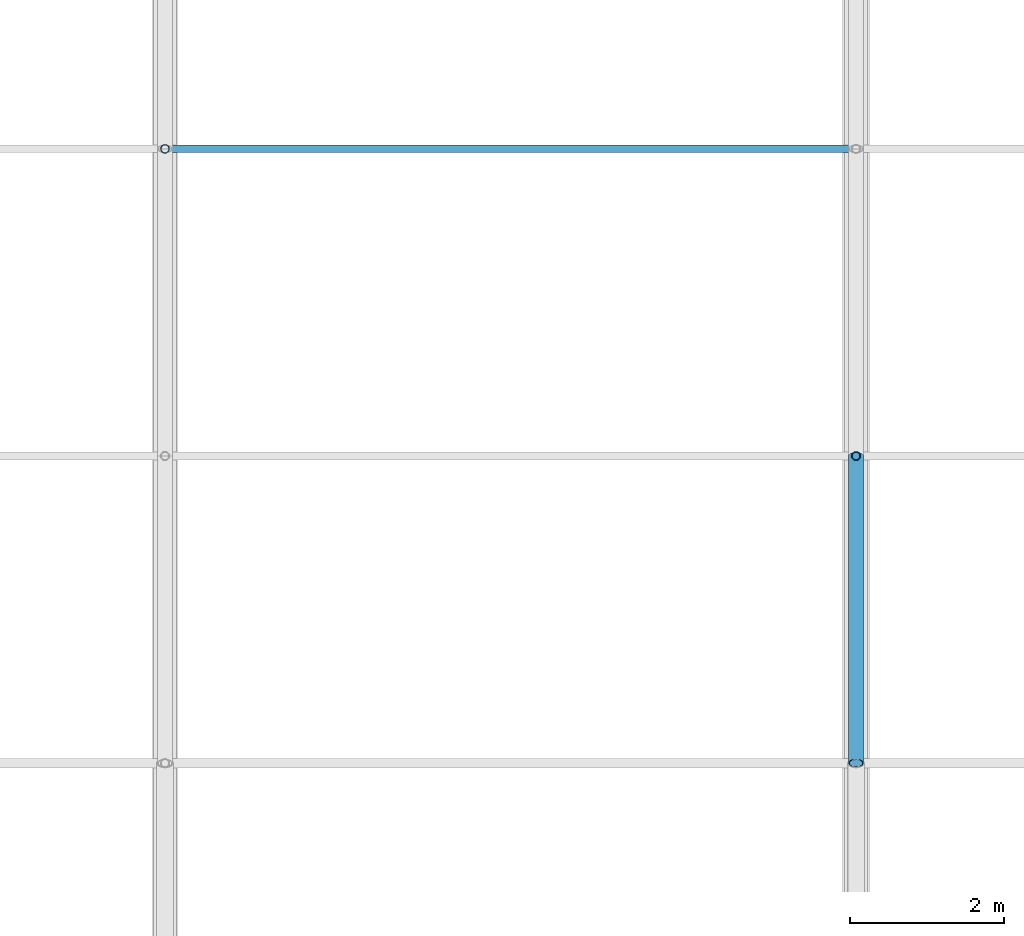
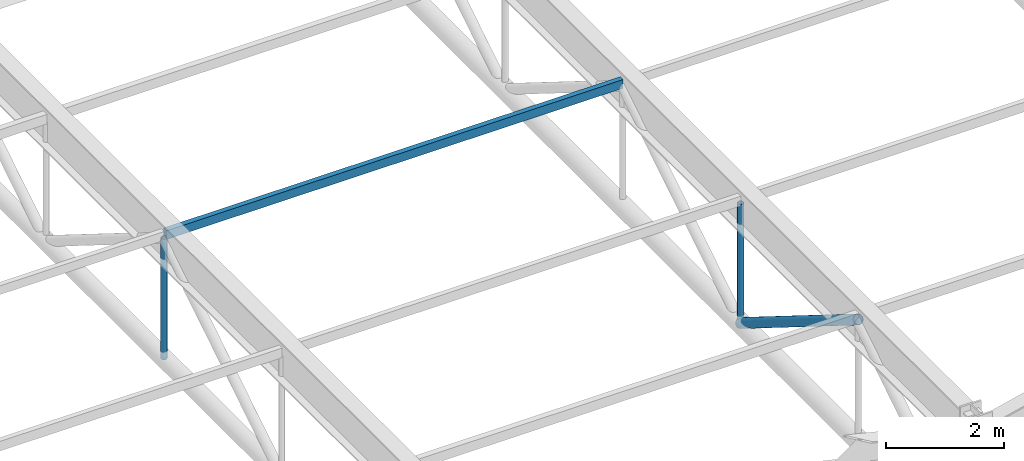
# One storey, part 32 of 91: 4 members.
"""IFC4 building model written with IfcOpenShell, lengths in metres."""

from ifc_helpers import new_model, si_unit, direction, frame, origin, origin_2d, place, context, subcontext, project, spatial, hollow_rectangle, hollow_circle, extrude, material, material_profile, profile_set, type_object, element, save


model = new_model("IFC4")

# Units and contexts
model_context = context("Model", 3, precision=1e-05, world=origin(), true_north=direction((0.0, 1.0)))
body_context = subcontext(model_context, "Body", "Model", "MODEL_VIEW")
ifc_project = project(units=[si_unit("LENGTHUNIT", "METRE"), si_unit("AREAUNIT", "SQUARE_METRE"), si_unit("VOLUMEUNIT", "CUBIC_METRE"), si_unit("PLANEANGLEUNIT", "RADIAN"), si_unit("MASSUNIT", "GRAM", prefix="KILO")], contexts=[model_context])

# Site, building, storey
site_placement = place(None, origin())
site = spatial("IfcSite", under=ifc_project, at=site_placement, CompositionType="ELEMENT")
building_placement = place(site_placement, origin())
building = spatial("IfcBuilding", under=site, at=building_placement, Name="Palais des Congres Ocreval", CompositionType="ELEMENT")
storey_placement = place(building_placement, frame((0.0, 0.0, 8.159912109375)))
storey = spatial("IfcBuildingStorey", under=building, at=storey_placement, Name="L02", CompositionType="ELEMENT", Elevation=8.159912109375)

# Members
ifc_material = material(Name="Steel S355", Category="steel")
ifc_material_profile_1 = material_profile(ifc_material, hollow_circle(Radius=0.096923828125, WallThickness=0.010009765625, at=origin_2d()), Name="CHS 193.7x10")
ifc_profile_set_1 = profile_set([ifc_material_profile_1], Name="Steel S355")
member_type_1 = type_object("IfcMemberType", Name="Diagonal Brace CHS 193.7x10 Steel S355", PredefinedType="BRACE", material=ifc_profile_set_1)
member_1_placement = place(storey_placement, frame((27.0, 94.0, 2.7900390625), z_axis=(0.0, 0.847998304005, -0.529998940003), x_axis=(-1.0, 0.0, 0.0)))
element("IfcMember", 1, at=member_1_placement, inside=storey, type_object=member_type_1, Name="ROOF TRUSS Diagonal V1-27-2", PredefinedType="BRACE", context=body_context, shape_type="SweptSolid", body=[
    extrude(hollow_circle(Radius=0.096923828125, WallThickness=0.010009765625, at=origin_2d()), origin(), (0.0, 0.0, 1.0), 4.717041015625),
])
ifc_material_profile_2 = material_profile(ifc_material, hollow_rectangle(XDim=0.10009765625, YDim=0.179931640625, WallThickness=0.008056640625, at=origin_2d()), Name="RHS 180x100x8")
ifc_profile_set_2 = profile_set([ifc_material_profile_2], Name="Steel S355")
member_type_2 = type_object("IfcMemberType", Name="Roof Purlin RHS 180x100x8 Steel S355", PredefinedType="PURLIN", material=ifc_profile_set_2)
member_2_placement = place(storey_placement, frame((18.02001953125, 102.0, 2.860107421875), z_axis=(1.0, 0.0, 0.0), x_axis=(0.0, 1.0, 0.0)))
element("IfcMember", 2, at=member_2_placement, inside=storey, type_object=member_type_2, Name="Roof Purlin PU03 V1", PredefinedType="PURLIN", context=body_context, shape_type="SweptSolid", body=[
    extrude(hollow_rectangle(XDim=0.10009765625, YDim=0.179931640625, WallThickness=0.008056640625, at=origin_2d()), origin(), (0.0, 0.0, 1.0), 8.9599609375),
])
ifc_material_profile_3 = material_profile(ifc_material, hollow_circle(Radius=0.05712890625, WallThickness=0.00634765625, at=origin_2d()), Name="CHS 114.3x6.3")
ifc_profile_set_3 = profile_set([ifc_material_profile_3], Name="Steel S355")
member_type_3 = type_object("IfcMemberType", Name="Truss Strut CHS 114.3x6.3 Steel S355", PredefinedType="STRUT", material=ifc_profile_set_3)
for number, where, z_axis, x_axis, name in (
    (3, (18.0, 102.0, 0.2900390625), (0.0, 0.0, 1.0), (1.0, 0.0, 0.0), "ROOF TRUSS Vertical Strut V1-18-3"),
    (4, (27.0, 98.0, 0.2900390625), (0.0, 0.0, 1.0), (1.0, 0.0, 0.0), "ROOF TRUSS Vertical Strut V1-27-2"),
):
    element("IfcMember", number, at=place(storey_placement, frame(where, z_axis=z_axis, x_axis=x_axis)), inside=storey, type_object=member_type_3, Name=name, PredefinedType="STRUT", context=body_context, shape_type="SweptSolid", body=[
        extrude(hollow_circle(Radius=0.05712890625, WallThickness=0.00634765625, at=origin_2d()), origin(), (0.0, 0.0, 1.0), 2.5),
    ])

save(model, "model.ifc")
